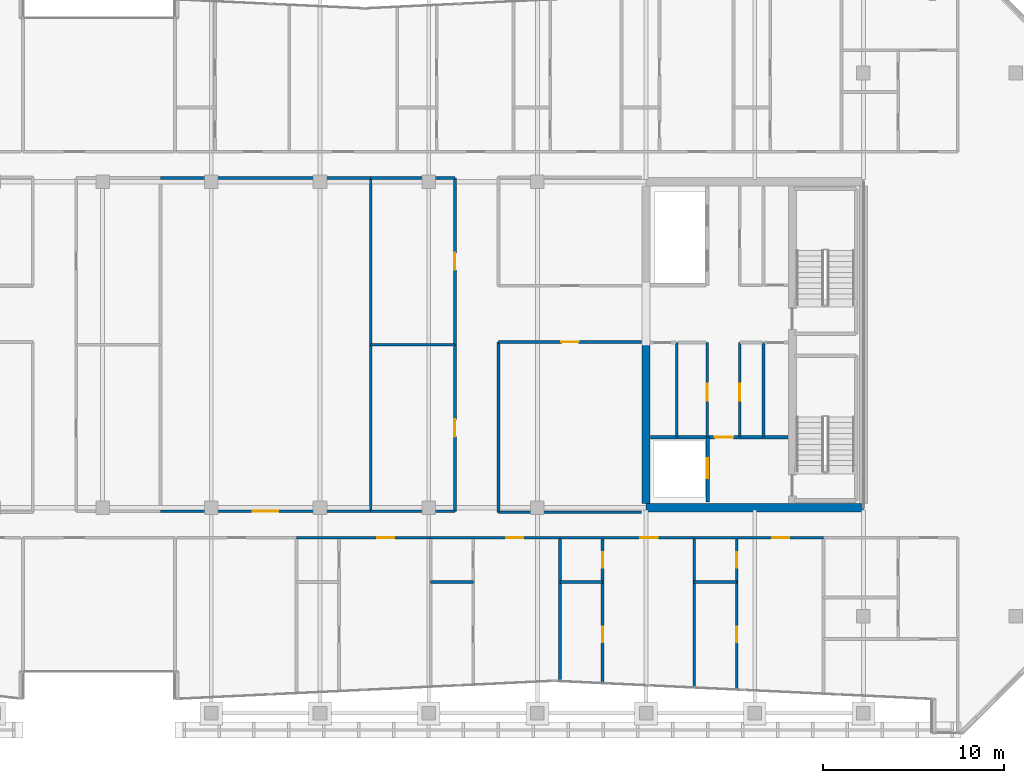
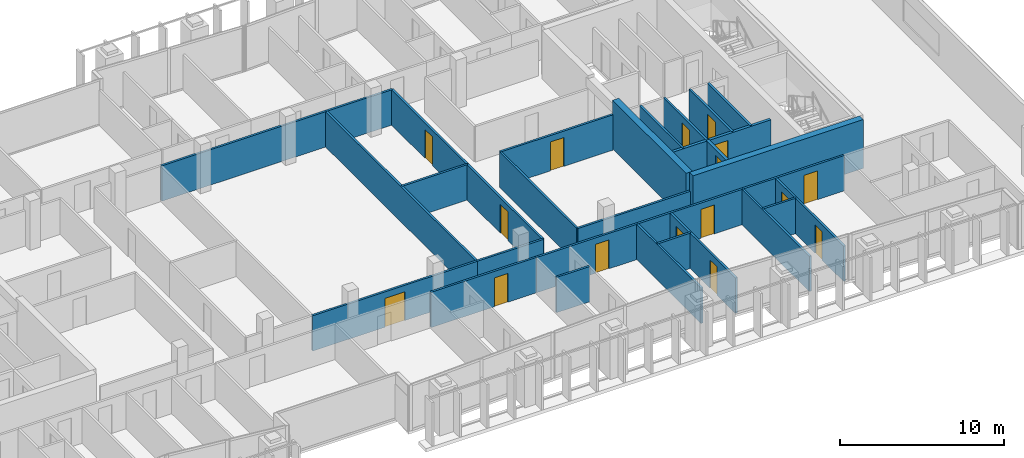
# One storey, part 23 of 32: 30 walls, 16 doors, 16 openings.
"""IFC4 building model written with IfcOpenShell, lengths in metres."""

import ifcopenshell
import ifcopenshell.guid

model = None  # the IFC model being written
_history = None  # IfcOwnerHistory: only IFC2X3 demands one
_inside = {}  # id of a spatial element -> (the spatial element, [elements in it])
_under = {}  # id of a project, library or spatial element -> (it, [spatial elements below it])
_declared = {}  # id of a project -> (the project, [libraries it declares])
_typed = {}  # id of a type object -> (the type object, [elements of that type])
_made_of = {}  # id of a material, layer set ... -> (it, [elements and type objects made of it])


def new_model(schema):
    """Start an empty IFC model of exactly this schema.

    Asked for "IFC4X3", IfcOpenShell would pick the latest addendum, in which some entities
    have other attributes; the version numbers below select the first issue.
    IFC2X3 requires an IfcOwnerHistory on every rooted entity: one is made here for all.
    """
    global model, _history
    if schema == "IFC4X3":
        model = ifcopenshell.file(schema_version=(4, 3, 0, 0))
    else:
        model = ifcopenshell.file(schema=schema)
    _inside.clear()
    _under.clear()
    _declared.clear()
    _typed.clear()
    _made_of.clear()
    _history = None
    if model.schema == "IFC2X3":
        org = make("IfcOrganization", Name="unknown")
        user = make(
            "IfcPersonAndOrganization",
            ThePerson=make("IfcPerson", FamilyName="unknown"),
            TheOrganization=org,
        )
        app = make(
            "IfcApplication",
            ApplicationDeveloper=org,
            Version="unknown",
            ApplicationFullName="unknown",
            ApplicationIdentifier="unknown",
        )
        _history = make(
            "IfcOwnerHistory",
            OwningUser=user,
            OwningApplication=app,
            ChangeAction="ADDED",
            CreationDate=0,
        )
    return model


def make(cls, **values):
    """One entity of the class cls with the attributes given. An attribute that is None is left unset."""
    return model.create_entity(
        cls, **{name: value for name, value in values.items() if value is not None}
    )


def rooted(cls, **values):
    """An entity with a GlobalId (a new one), such as an element, a storey or a relation."""
    return make(cls, GlobalId=ifcopenshell.guid.new(), OwnerHistory=_history, **values)


def si_unit(unit_type, name, prefix=None):
    """IfcSIUnit, for example si_unit("LENGTHUNIT", "METRE", prefix="MILLI")."""
    return make("IfcSIUnit", UnitType=unit_type, Prefix=prefix, Name=name)


def assignment(units):
    """IfcUnitAssignment: the units of a project."""
    return None if units is None else make("IfcUnitAssignment", Units=units)


def point(xyz):
    """IfcCartesianPoint."""
    return None if xyz is None else make("IfcCartesianPoint", Coordinates=xyz)


def direction(xyz):
    """IfcDirection."""
    return None if xyz is None else make("IfcDirection", DirectionRatios=xyz)


def frame(location, z_axis=None, x_axis=None):
    """IfcAxis2Placement3D, a coordinate frame: its origin and axes. An axis left out is left unset."""
    return make(
        "IfcAxis2Placement3D",
        Location=point(location),
        Axis=direction(z_axis),
        RefDirection=direction(x_axis),
    )


def frame_2d(location, x_axis=None):
    """IfcAxis2Placement2D, a coordinate frame in the plane: its origin and x axis."""
    return make(
        "IfcAxis2Placement2D", Location=point(location), RefDirection=direction(x_axis)
    )


def origin():
    """The frame at (0, 0, 0) with its axes left unset."""
    return frame((0.0, 0.0, 0.0))


def place(relative_to, where):
    """IfcLocalPlacement: puts the frame where relative to a parent placement (None: the world)."""
    return make(
        "IfcLocalPlacement", PlacementRelTo=relative_to, RelativePlacement=where
    )


def context(
    kind, dimensions, precision=None, world=None, true_north=None, identifier=None
):
    """IfcGeometricRepresentationContext, for example the 3D "Model" context."""
    return make(
        "IfcGeometricRepresentationContext",
        ContextIdentifier=identifier,
        ContextType=kind,
        CoordinateSpaceDimension=dimensions,
        Precision=precision,
        WorldCoordinateSystem=world,
        TrueNorth=true_north,
    )


def subcontext(parent, identifier, kind, view, scale=None):
    """IfcGeometricRepresentationSubContext, for example "Body" below "Model"."""
    return make(
        "IfcGeometricRepresentationSubContext",
        ContextIdentifier=identifier,
        ContextType=kind,
        ParentContext=parent,
        TargetScale=scale,
        TargetView=view,
    )


def project(units=None, contexts=None):
    """IfcProject with its units and contexts."""
    return rooted(
        "IfcProject",
        Name="project",
        RepresentationContexts=contexts,
        UnitsInContext=assignment(units),
    )


def spatial(cls, under=None, at=None, **own):
    """A site, building, storey or space (cls), placed at a placement, below another one or the project."""
    s = rooted(cls, ObjectPlacement=at, **own)
    if under is not None:
        _under.setdefault(under.id(), (under, []))[1].append(s)
    return s


def profile(cls, at=None, kind="AREA", **sizes):
    """A parametric profile (cls). Its sizes go by their IFC names, for example OverallWidth=200.0."""
    return make(cls, ProfileType=kind, Position=at, **sizes)


def rectangle(**sizes):
    """IfcRectangleProfileDef."""
    return profile("IfcRectangleProfileDef", **sizes)


def extrude(swept, where, along, depth):
    """IfcExtrudedAreaSolid: the profile swept, set in the frame where, extruded along a direction by depth."""
    return make(
        "IfcExtrudedAreaSolid",
        SweptArea=swept,
        Position=where,
        ExtrudedDirection=direction(along),
        Depth=depth,
    )


def shape(context_of_items, identifier, shape_type, items):
    """IfcShapeRepresentation: the items that make up one representation, for example the "Body"."""
    return make(
        "IfcShapeRepresentation",
        ContextOfItems=context_of_items,
        RepresentationIdentifier=identifier,
        RepresentationType=shape_type,
        Items=items,
    )


def material(Name=None, Category=None):
    """IfcMaterial."""
    return make("IfcMaterial", Name=Name, Category=Category)


def layer(
    of_material, thickness, ventilated=None, Name=None, Category=None, Priority=None
):
    """IfcMaterialLayer: one layer of a wall or slab, of a material (None: an air gap)."""
    return make(
        "IfcMaterialLayer",
        Material=of_material,
        LayerThickness=thickness,
        IsVentilated=ventilated,
        Name=Name,
        Category=Category,
        Priority=Priority,
    )


def layer_set(layers, Name=None):
    """IfcMaterialLayerSet."""
    return make("IfcMaterialLayerSet", MaterialLayers=layers, LayerSetName=Name)


def made_of(thing, what):
    """Note that an element or type object is made of a material, layer set ...; save() writes the relation."""
    if what is not None:
        _made_of.setdefault(what.id(), (what, []))[1].append(thing)
    return thing


def type_object(cls, material=None, **own):
    """A type object (cls), such as IfcWallType, which elements share."""
    return made_of(rooted(cls, **own), material)


def element(
    cls,
    number,
    at=None,
    inside=None,
    cuts=None,
    type_object=None,
    material=None,
    context=None,
    identifier="Body",
    shape_type=None,
    held_by="IfcProductDefinitionShape",
    body=None,
    shapes=None,
    **own,
):
    """One element of the class cls, such as IfcWall. Its Tag is "e" and its number.

    at: its placement. inside: the storey or other place that contains it. cuts: it is an
    opening in that element (IfcRelVoidsElement). A single representation is given by context,
    identifier, shape_type and body (its items); several are given by shapes. held_by: the class
    of the entity that holds the representations. save() writes the other relations.
    """
    e = rooted(cls, Tag="e%d" % number, ObjectPlacement=at, **own)
    if body is not None:
        shapes = [shape(context, identifier, shape_type, body)]
    if shapes is not None:
        e.Representation = make(held_by, Representations=shapes)
    if inside is not None:
        _inside.setdefault(inside.id(), (inside, []))[1].append(e)
    if cuts is not None:
        rooted(
            "IfcRelVoidsElement", RelatingBuildingElement=cuts, RelatedOpeningElement=e
        )
    if type_object is not None:
        _typed.setdefault(type_object.id(), (type_object, []))[1].append(e)
    return made_of(e, material)


def fill(opening, filler):
    """IfcRelFillsElement: the door or window that sits in an opening."""
    return rooted(
        "IfcRelFillsElement",
        RelatingOpeningElement=opening,
        RelatedBuildingElement=filler,
    )


def aggregate(whole, parts):
    """IfcRelAggregates: a whole, such as a stair, and the parts it consists of."""
    return rooted("IfcRelAggregates", RelatingObject=whole, RelatedObjects=parts)


def save(model, path):
    """Write the relations noted so far, then the file.

    IfcRelAggregates (storeys below a building ...), IfcRelContainedInSpatialStructure (elements
    in a storey), IfcRelDefinesByType, IfcRelAssociatesMaterial and IfcRelDeclares: one each for
    every whole, place, type object, material and project.
    """
    for whole, parts in _under.values():
        aggregate(whole, parts)
    for where, things in _inside.values():
        rooted(
            "IfcRelContainedInSpatialStructure",
            RelatedElements=things,
            RelatingStructure=where,
        )
    for kind, things in _typed.values():
        rooted("IfcRelDefinesByType", RelatedObjects=things, RelatingType=kind)
    for what, things in _made_of.values():
        rooted("IfcRelAssociatesMaterial", RelatedObjects=things, RelatingMaterial=what)
    for by, libraries in _declared.values():
        rooted("IfcRelDeclares", RelatingContext=by, RelatedDefinitions=libraries)
    model.write(path)


model = new_model("IFC4")

# Units and contexts
model_context = context("Model", 3, precision=1e-05, world=origin(), true_north=direction((0.0, 1.0)))
body_context = subcontext(model_context, "Body", "Model", "MODEL_VIEW")
ifc_project = project(units=[si_unit("LENGTHUNIT", "METRE"), si_unit("AREAUNIT", "SQUARE_METRE"), si_unit("VOLUMEUNIT", "CUBIC_METRE"), si_unit("PLANEANGLEUNIT", "RADIAN"), si_unit("MASSUNIT", "GRAM", prefix="KILO")], contexts=[model_context])

# Site, building, storey
site_placement = place(None, origin())
site = spatial("IfcSite", under=ifc_project, at=site_placement, CompositionType="ELEMENT")
building_placement = place(site_placement, origin())
building = spatial("IfcBuilding", under=site, at=building_placement, Name="Tanjung Sevakor Pilgrim Tower", CompositionType="ELEMENT")
storey_placement = place(building_placement, frame((0.0, 0.0, 211.860107421875)))
storey = spatial("IfcBuildingStorey", under=building, at=storey_placement, Name="L59", CompositionType="ELEMENT", Elevation=211.860107421875)

# Walls
ifc_material_1 = material(Name="Concrete C60/75", Category="concrete")
ifc_layer_1 = layer(ifc_material_1, 0.449951171875)
ifc_layer_set_1 = layer_set([ifc_layer_1], Name="WALL-CW-450")
wall_type_1 = type_object("IfcWallType", Name="WALL-CW-450", PredefinedType="SHEAR", material=ifc_layer_set_1)
wall_1_placement = place(storey_placement, frame((78.0, 24.60009765625, 0.0), z_axis=(0.0, 0.0, 1.0), x_axis=(1.0, 0.0, 0.0)))
element("IfcWall", 1, at=wall_1_placement, inside=storey, type_object=wall_type_1, Name="L59 E Core South Shear Wall", PredefinedType="SHEAR", context=body_context, shape_type="SweptSolid", body=[
    extrude(rectangle(XDim=12.0, YDim=0.449951171875, at=frame_2d((6.0, 0.0))), origin(), (0.0, 0.0, 1.0), 3.6298828125),
])
wall_2_placement = place(storey_placement, frame((78.0, 24.824951171875, 0.0), z_axis=(0.0, 0.0, 1.0), x_axis=(0.0, 1.0, 0.0)))
element("IfcWall", 2, at=wall_2_placement, inside=storey, type_object=wall_type_1, Name="L59 E Core Inner Shear Wall South", PredefinedType="SHEAR", context=body_context, shape_type="SweptSolid", body=[
    extrude(rectangle(XDim=8.97509765625, YDim=0.449951171875, at=frame_2d((4.487548828125, 0.0))), origin(), (0.0, 0.0, 1.0), 3.6298828125),
])
ifc_material_2 = material(Name="Concrete C40/50", Category="concrete")
ifc_layer_2 = layer(ifc_material_2, 0.14990234375)
ifc_layer_set_2 = layer_set([ifc_layer_2], Name="WT-COMP-150")
wall_type_2 = type_object("IfcWallType", Name="WT-COMP-150", PredefinedType="SOLIDWALL", material=ifc_layer_set_2)
wall_3_placement = place(storey_placement, frame((84.47998046875, 28.5, 0.0), z_axis=(0.0, 0.0, 1.0), x_axis=(0.0, 1.0, 0.0)))
element("IfcWall", 3, at=wall_3_placement, inside=storey, type_object=wall_type_2, Name="L59 Partition IW-L59-019", PredefinedType="SOLIDWALL", context=body_context, shape_type="SweptSolid", body=[
    extrude(rectangle(XDim=5.219970703125, YDim=0.14990234375, at=frame_2d((2.60986328125, 0.0))), origin(), (0.0, 0.0, 1.0), 2.6298828125),
])

# Wall, opening, door
wall_4_placement = place(storey_placement, frame((83.179931640625, 28.5, 0.0), z_axis=(0.0, 0.0, 1.0), x_axis=(0.0, 1.0, 0.0)))
wall_4 = element("IfcWall", 4, at=wall_4_placement, inside=storey, type_object=wall_type_2, Name="L59 Partition IW-L59-022", PredefinedType="SOLIDWALL", context=body_context, shape_type="SweptSolid", body=[
    extrude(rectangle(XDim=5.219970703125, YDim=0.14990234375, at=frame_2d((2.60986328125, 0.0))), origin(), (0.0, 0.0, 1.0), 2.6298828125),
])
opening_1_placement = place(wall_4_placement, frame((2.0, 0.0, 0.0)))
opening_1 = element("IfcOpeningElement", 5, at=opening_1_placement, cuts=wall_4, Name="Opening ID-FD2", PredefinedType="OPENING", context=body_context, shape_type="SweptSolid", body=[
    extrude(rectangle(XDim=0.949951171875, YDim=2.14990234375, at=frame_2d((0.47509765625, 1.074951171875))), frame((0.0, 0.0849609375, 0.0), z_axis=(0.0, -1.0, 0.0), x_axis=(1.0, 0.0, 0.0)), (0.0, 0.0, 1.0), 0.169921875),
])
ifc_material_3 = material(Name="Fire-Rated Timber", Category="wood")
door_type_1 = type_object("IfcDoorType", Name="DT-FIRE-950", OperationType="NOTDEFINED", PredefinedType="DOOR", material=ifc_material_3)
door_1_placement = place(opening_1_placement, origin())
door_1 = element("IfcDoor", 6, at=door_1_placement, inside=storey, type_object=door_type_1, Name="L59 Housekeeping Pantry Door", OperationType="SINGLE_SWING_RIGHT", OverallHeight=2.14990234375, OverallWidth=0.949951171875, PredefinedType="DOOR", context=body_context, shape_type="SweptSolid", body=[
    extrude(rectangle(XDim=0.949951171875, YDim=2.14990234375, at=frame_2d((0.47509765625, 1.074951171875))), frame((0.0, 0.02490234375, 0.0), z_axis=(0.0, -1.0, 0.0), x_axis=(1.0, 0.0, 0.0)), (0.0, 0.0, 1.0), 0.050048828125),
])
fill(opening_1, door_1)

# Wall
wall_5_placement = place(storey_placement, frame((79.699951171875, 28.5, 0.0), z_axis=(0.0, 0.0, 1.0), x_axis=(0.0, 1.0, 0.0)))
element("IfcWall", 7, at=wall_5_placement, inside=storey, type_object=wall_type_2, Name="L59 Partition IW-L59-023", PredefinedType="SOLIDWALL", context=body_context, shape_type="SweptSolid", body=[
    extrude(rectangle(XDim=5.219970703125, YDim=0.14990234375, at=frame_2d((2.60986328125, 0.0))), origin(), (0.0, 0.0, 1.0), 2.6298828125),
])

# Wall, opening, door
wall_6_placement = place(storey_placement, frame((81.3798828125, 28.5, 0.0), z_axis=(0.0, 0.0, 1.0), x_axis=(0.0, 1.0, 0.0)))
wall_6 = element("IfcWall", 8, at=wall_6_placement, inside=storey, type_object=wall_type_2, Name="L59 Partition IW-L59-026", PredefinedType="SOLIDWALL", context=body_context, shape_type="SweptSolid", body=[
    extrude(rectangle(XDim=5.219970703125, YDim=0.14990234375, at=frame_2d((2.60986328125, 0.0))), origin(), (0.0, 0.0, 1.0), 2.6298828125),
])
opening_2_placement = place(wall_6_placement, frame((2.0, 0.0, 0.0)))
opening_2 = element("IfcOpeningElement", 9, at=opening_2_placement, cuts=wall_6, Name="Opening ID-FD2", PredefinedType="OPENING", context=body_context, shape_type="SweptSolid", body=[
    extrude(rectangle(XDim=0.949951171875, YDim=2.14990234375, at=frame_2d((0.47509765625, 1.074951171875))), frame((0.0, 0.0849609375, 0.0), z_axis=(0.0, -1.0, 0.0), x_axis=(1.0, 0.0, 0.0)), (0.0, 0.0, 1.0), 0.169921875),
])
door_2_placement = place(opening_2_placement, origin())
door_2 = element("IfcDoor", 10, at=door_2_placement, inside=storey, type_object=door_type_1, Name="L59 Accessible WC Door", OperationType="SINGLE_SWING_RIGHT", OverallHeight=2.14990234375, OverallWidth=0.949951171875, PredefinedType="DOOR", context=body_context, shape_type="SweptSolid", body=[
    extrude(rectangle(XDim=0.949951171875, YDim=2.14990234375, at=frame_2d((0.47509765625, 1.074951171875))), frame((0.0, 0.02490234375, 0.0), z_axis=(0.0, -1.0, 0.0), x_axis=(1.0, 0.0, 0.0)), (0.0, 0.0, 1.0), 0.050048828125),
])
fill(opening_2, door_2)

# Wall
wall_7_placement = place(storey_placement, frame((69.85009765625, 24.35009765625, 0.0), z_axis=(0.0, 0.0, 1.0), x_axis=(1.0, 0.0, 0.0)))
element("IfcWall", 11, at=wall_7_placement, inside=storey, type_object=wall_type_2, Name="L59 Partition IW-L59-039", PredefinedType="SOLIDWALL", context=body_context, shape_type="SweptSolid", body=[
    extrude(rectangle(XDim=7.90478515625, YDim=0.14990234375, at=frame_2d((3.952392578125, 0.0))), origin(), (0.0, 0.0, 1.0), 2.6298828125),
])

# Wall, opening, door
wall_8_placement = place(storey_placement, frame((69.85009765625, 33.75, 0.0), z_axis=(0.0, 0.0, 1.0), x_axis=(1.0, 0.0, 0.0)))
wall_8 = element("IfcWall", 12, at=wall_8_placement, inside=storey, type_object=wall_type_2, Name="L59 Partition IW-L59-040", PredefinedType="SOLIDWALL", context=body_context, shape_type="SweptSolid", body=[
    extrude(rectangle(XDim=7.90478515625, YDim=0.14990234375, at=frame_2d((3.952392578125, 0.0))), origin(), (0.0, 0.0, 1.0), 2.6298828125),
])
opening_3_placement = place(wall_8_placement, frame((3.4775390625, 0.0, 0.0)))
opening_3 = element("IfcOpeningElement", 13, at=opening_3_placement, cuts=wall_8, Name="Opening ID-RM1", PredefinedType="OPENING", context=body_context, shape_type="SweptSolid", body=[
    extrude(rectangle(XDim=0.949951171875, YDim=2.14990234375, at=frame_2d((0.47509765625, 1.074951171875))), frame((0.0, 0.0849609375, 0.0), z_axis=(0.0, -1.0, 0.0), x_axis=(1.0, 0.0, 0.0)), (0.0, 0.0, 1.0), 0.169921875),
])
ifc_material_4 = material(Name="Hardwood Timber", Category="wood")
door_type_2 = type_object("IfcDoorType", Name="DT-INT-950", OperationType="NOTDEFINED", PredefinedType="DOOR", material=ifc_material_4)
door_3_placement = place(opening_3_placement, origin())
door_3 = element("IfcDoor", 14, at=door_3_placement, inside=storey, type_object=door_type_2, Name="L59 East Inboard South Door", OperationType="SINGLE_SWING_LEFT", OverallHeight=2.14990234375, OverallWidth=0.949951171875, PredefinedType="DOOR", context=body_context, shape_type="SweptSolid", body=[
    extrude(rectangle(XDim=0.949951171875, YDim=2.14990234375, at=frame_2d((0.47509765625, 1.074951171875))), frame((0.0, 0.02490234375, 0.0), z_axis=(0.0, -1.0, 0.0), x_axis=(1.0, 0.0, 0.0)), (0.0, 0.0, 1.0), 0.050048828125),
])
fill(opening_3, door_3)

# Wall
wall_9_placement = place(storey_placement, frame((69.85009765625, 24.35009765625, 0.0), z_axis=(0.0, 0.0, 1.0), x_axis=(0.0, 1.0, 0.0)))
element("IfcWall", 15, at=wall_9_placement, inside=storey, type_object=wall_type_2, Name="L59 Partition IW-L59-041", PredefinedType="SOLIDWALL", context=body_context, shape_type="SweptSolid", body=[
    extrude(rectangle(XDim=9.39990234375, YDim=0.14990234375, at=frame_2d((4.699951171875, 0.0))), origin(), (0.0, 0.0, 1.0), 2.6298828125),
])

# Wall, opening, door
wall_10_placement = place(storey_placement, frame((51.199951171875, 24.39990234375, 0.0), z_axis=(0.0, 0.0, 1.0), x_axis=(1.0, 0.0, 0.0)))
wall_10 = element("IfcWall", 16, at=wall_10_placement, inside=storey, type_object=wall_type_2, Name="L59 Partition IW-L59-050", PredefinedType="SOLIDWALL", context=body_context, shape_type="SweptSolid", body=[
    extrude(rectangle(XDim=11.60009765625, YDim=0.14990234375, at=frame_2d((5.800048828125, 0.0))), origin(), (0.0, 0.0, 1.0), 2.6298828125),
])
opening_4_placement = place(wall_10_placement, frame((5.10009765625, 0.0, 0.0)))
opening_4 = element("IfcOpeningElement", 17, at=opening_4_placement, cuts=wall_10, Name="Opening ID-HD1", PredefinedType="OPENING", context=body_context, shape_type="SweptSolid", body=[
    extrude(rectangle(XDim=1.39990234375, YDim=2.14990234375, at=frame_2d((0.699951171875, 1.074951171875))), frame((0.0, 0.0849609375, 0.0), z_axis=(0.0, -1.0, 0.0), x_axis=(1.0, 0.0, 0.0)), (0.0, 0.0, 1.0), 0.169921875),
])
ifc_material_5 = material(Name="Hardwood Timber", Category="wood")
door_type_3 = type_object("IfcDoorType", Name="DT-INT-1400", OperationType="DOUBLE_DOOR_SINGLE_SWING", PredefinedType="DOOR", material=ifc_material_5)
door_4_placement = place(opening_4_placement, origin())
door_4 = element("IfcDoor", 18, at=door_4_placement, inside=storey, type_object=door_type_3, Name="L59 Sky-Prayer Sanctuary Door", OperationType="SINGLE_SWING_LEFT", OverallHeight=2.14990234375, OverallWidth=1.39990234375, PredefinedType="DOOR", context=body_context, shape_type="SweptSolid", body=[
    extrude(rectangle(XDim=1.39990234375, YDim=2.14990234375, at=frame_2d((0.699951171875, 1.074951171875))), frame((0.0, 0.02490234375, 0.0), z_axis=(0.0, -1.0, 0.0), x_axis=(1.0, 0.0, 0.0)), (0.0, 0.0, 1.0), 0.050048828125),
])
fill(opening_4, door_4)

# Walls
wall_11_placement = place(storey_placement, frame((51.199951171875, 42.800048828125, 0.0), z_axis=(0.0, 0.0, 1.0), x_axis=(1.0, 0.0, 0.0)))
element("IfcWall", 19, at=wall_11_placement, inside=storey, type_object=wall_type_2, Name="L59 Partition IW-L59-051", PredefinedType="SOLIDWALL", context=body_context, shape_type="SweptSolid", body=[
    extrude(rectangle(XDim=11.60009765625, YDim=0.14990234375, at=frame_2d((5.800048828125, 0.0))), origin(), (0.0, 0.0, 1.0), 2.6298828125),
])
wall_12_placement = place(storey_placement, frame((62.800048828125, 24.39990234375, 0.0), z_axis=(0.0, 0.0, 1.0), x_axis=(0.0, 1.0, 0.0)))
element("IfcWall", 20, at=wall_12_placement, inside=storey, type_object=wall_type_2, Name="L59 Partition IW-L59-053", PredefinedType="SOLIDWALL", context=body_context, shape_type="SweptSolid", body=[
    extrude(rectangle(XDim=18.400146484375, YDim=0.14990234375, at=frame_2d((9.2001953125, 0.0))), origin(), (0.0, 0.0, 1.0), 2.6298828125),
])
for number, where, z_axis, x_axis, name in (
    (21, (62.800048828125, 24.39990234375, 0.0), (0.0, 0.0, 1.0), (1.0, 0.0, 0.0), "L59 Partition IW-L59-054"),
    (22, (62.800048828125, 33.60009765625, 0.0), (0.0, 0.0, 1.0), (1.0, 0.0, 0.0), "L59 Partition IW-L59-055"),
):
    element("IfcWall", number, at=place(storey_placement, frame(where, z_axis=z_axis, x_axis=x_axis)), inside=storey, type_object=wall_type_2, Name=name, PredefinedType="SOLIDWALL", context=body_context, shape_type="SweptSolid", body=[
        extrude(rectangle(XDim=4.64990234375, YDim=0.14990234375, at=frame_2d((2.324951171875, 0.0))), origin(), (0.0, 0.0, 1.0), 2.6298828125),
    ])

# Wall, opening, door
wall_13_placement = place(storey_placement, frame((67.449951171875, 24.39990234375, 0.0), z_axis=(0.0, 0.0, 1.0), x_axis=(0.0, 1.0, 0.0)))
wall_13 = element("IfcWall", 23, at=wall_13_placement, inside=storey, type_object=wall_type_2, Name="L59 Partition IW-L59-056", PredefinedType="SOLIDWALL", context=body_context, shape_type="SweptSolid", body=[
    extrude(rectangle(XDim=9.2001953125, YDim=0.14990234375, at=frame_2d((4.60009765625, 0.0))), origin(), (0.0, 0.0, 1.0), 2.6298828125),
])
opening_5_placement = place(wall_13_placement, frame((4.125, 0.0, 0.0)))
opening_5 = element("IfcOpeningElement", 24, at=opening_5_placement, cuts=wall_13, Name="Opening ID-RM1", PredefinedType="OPENING", context=body_context, shape_type="SweptSolid", body=[
    extrude(rectangle(XDim=0.949951171875, YDim=2.14990234375, at=frame_2d((0.47509765625, 1.074951171875))), frame((0.0, 0.0849609375, 0.0), z_axis=(0.0, -1.0, 0.0), x_axis=(1.0, 0.0, 0.0)), (0.0, 0.0, 1.0), 0.169921875),
])
door_5_placement = place(opening_5_placement, origin())
door_5 = element("IfcDoor", 25, at=door_5_placement, inside=storey, type_object=door_type_2, Name="L59 Female Ablution Door", OperationType="SINGLE_SWING_RIGHT", OverallHeight=2.14990234375, OverallWidth=0.949951171875, PredefinedType="DOOR", context=body_context, shape_type="SweptSolid", body=[
    extrude(rectangle(XDim=0.949951171875, YDim=2.14990234375, at=frame_2d((0.47509765625, 1.074951171875))), frame((0.0, 0.02490234375, 0.0), z_axis=(0.0, -1.0, 0.0), x_axis=(1.0, 0.0, 0.0)), (0.0, 0.0, 1.0), 0.050048828125),
])
fill(opening_5, door_5)

# Wall
wall_14_placement = place(storey_placement, frame((62.800048828125, 42.800048828125, 0.0), z_axis=(0.0, 0.0, 1.0), x_axis=(1.0, 0.0, 0.0)))
element("IfcWall", 26, at=wall_14_placement, inside=storey, type_object=wall_type_2, Name="L59 Partition IW-L59-057", PredefinedType="SOLIDWALL", context=body_context, shape_type="SweptSolid", body=[
    extrude(rectangle(XDim=4.64990234375, YDim=0.14990234375, at=frame_2d((2.324951171875, 0.0))), origin(), (0.0, 0.0, 1.0), 2.6298828125),
])

# Wall, opening, door
wall_15_placement = place(storey_placement, frame((67.449951171875, 33.60009765625, 0.0), z_axis=(0.0, 0.0, 1.0), x_axis=(0.0, 1.0, 0.0)))
wall_15 = element("IfcWall", 27, at=wall_15_placement, inside=storey, type_object=wall_type_2, Name="L59 Partition IW-L59-058", PredefinedType="SOLIDWALL", context=body_context, shape_type="SweptSolid", body=[
    extrude(rectangle(XDim=9.199951171875, YDim=0.14990234375, at=frame_2d((4.60009765625, 0.0))), origin(), (0.0, 0.0, 1.0), 2.6298828125),
])
opening_6_placement = place(wall_15_placement, frame((4.125, 0.0, 0.0)))
opening_6 = element("IfcOpeningElement", 28, at=opening_6_placement, cuts=wall_15, Name="Opening ID-RM1", PredefinedType="OPENING", context=body_context, shape_type="SweptSolid", body=[
    extrude(rectangle(XDim=0.949951171875, YDim=2.14990234375, at=frame_2d((0.47509765625, 1.074951171875))), frame((0.0, 0.0849609375, 0.0), z_axis=(0.0, -1.0, 0.0), x_axis=(1.0, 0.0, 0.0)), (0.0, 0.0, 1.0), 0.169921875),
])
door_6_placement = place(opening_6_placement, origin())
door_6 = element("IfcDoor", 29, at=door_6_placement, inside=storey, type_object=door_type_2, Name="L59 Female Washroom Door", OperationType="SINGLE_SWING_LEFT", OverallHeight=2.14990234375, OverallWidth=0.949951171875, PredefinedType="DOOR", context=body_context, shape_type="SweptSolid", body=[
    extrude(rectangle(XDim=0.949951171875, YDim=2.14990234375, at=frame_2d((0.47509765625, 1.074951171875))), frame((0.0, 0.02490234375, 0.0), z_axis=(0.0, -1.0, 0.0), x_axis=(1.0, 0.0, 0.0)), (0.0, 0.0, 1.0), 0.050048828125),
])
fill(opening_6, door_6)

wall_16_placement = place(storey_placement, frame((58.70556640625, 22.949951171875, 0.0), z_axis=(0.0, 0.0, 1.0), x_axis=(1.0, 0.0, 0.0)))
wall_16 = element("IfcWall", 30, at=wall_16_placement, inside=storey, type_object=wall_type_2, Name="L59 Partition IW-L59-083", PredefinedType="SOLIDWALL", context=body_context, shape_type="SweptSolid", body=[
    extrude(rectangle(XDim=7.40869140625, YDim=0.14990234375, at=frame_2d((3.704345703125, 0.0))), origin(), (0.0, 0.0, 1.0), 2.6298828125),
])
opening_7_placement = place(wall_16_placement, frame((4.4443359375, 0.0, 0.0)))
opening_7 = element("IfcOpeningElement", 31, at=opening_7_placement, cuts=wall_16, Name="Opening ID-FD2", PredefinedType="OPENING", context=body_context, shape_type="SweptSolid", body=[
    extrude(rectangle(XDim=0.949951171875, YDim=2.14990234375, at=frame_2d((0.47509765625, 1.074951171875))), frame((0.0, 0.0849609375, 0.0), z_axis=(0.0, -1.0, 0.0), x_axis=(1.0, 0.0, 0.0)), (0.0, 0.0, 1.0), 0.169921875),
])
door_7_placement = place(opening_7_placement, origin())
door_7 = element("IfcDoor", 32, at=door_7_placement, inside=storey, type_object=door_type_1, Name="Hostel Quad Entrance", OperationType="SINGLE_SWING_RIGHT", OverallHeight=2.14990234375, OverallWidth=0.949951171875, PredefinedType="DOOR", context=body_context, shape_type="SweptSolid", body=[
    extrude(rectangle(XDim=0.949951171875, YDim=2.14990234375, at=frame_2d((0.47509765625, 1.074951171875))), frame((0.0, 0.02490234375, 0.0), z_axis=(0.0, -1.0, 0.0), x_axis=(1.0, 0.0, 0.0)), (0.0, 0.0, 1.0), 0.050048828125),
])
fill(opening_7, door_7)

# Wall
wall_17_placement = place(storey_placement, frame((73.24853515625, 15.0234375, 0.0), z_axis=(0.0, 0.0, 1.0), x_axis=(0.0, 1.0, 0.0)))
element("IfcWall", 33, at=wall_17_placement, inside=storey, type_object=wall_type_2, Name="L59 Partition IW-L59-084", PredefinedType="SOLIDWALL", context=body_context, shape_type="SweptSolid", body=[
    extrude(rectangle(XDim=7.926513671875, YDim=0.14990234375, at=frame_2d((3.96337890625, 0.0))), origin(), (0.0, 0.0, 1.0), 2.6298828125),
])

# Wall, opening, door
wall_18_placement = place(storey_placement, frame((66.1142578125, 22.949951171875, 0.0), z_axis=(0.0, 0.0, 1.0), x_axis=(1.0, 0.0, 0.0)))
wall_18 = element("IfcWall", 34, at=wall_18_placement, inside=storey, type_object=wall_type_2, Name="L59 Partition IW-L59-087", PredefinedType="SOLIDWALL", context=body_context, shape_type="SweptSolid", body=[
    extrude(rectangle(XDim=7.13427734375, YDim=0.14990234375, at=frame_2d((3.567138671875, 0.0))), origin(), (0.0, 0.0, 1.0), 2.6298828125),
])
opening_8_placement = place(wall_18_placement, frame((4.1572265625, 0.0, 0.0)))
opening_8 = element("IfcOpeningElement", 35, at=opening_8_placement, cuts=wall_18, Name="Opening ID-FD2", PredefinedType="OPENING", context=body_context, shape_type="SweptSolid", body=[
    extrude(rectangle(XDim=0.949951171875, YDim=2.14990234375, at=frame_2d((0.47509765625, 1.074951171875))), frame((0.0, 0.0849609375, 0.0), z_axis=(0.0, -1.0, 0.0), x_axis=(1.0, 0.0, 0.0)), (0.0, 0.0, 1.0), 0.169921875),
])
door_8_placement = place(opening_8_placement, origin())
door_8 = element("IfcDoor", 36, at=door_8_placement, inside=storey, type_object=door_type_1, Name="Hostel Quad Entrance", OperationType="SINGLE_SWING_LEFT", OverallHeight=2.14990234375, OverallWidth=0.949951171875, PredefinedType="DOOR", context=body_context, shape_type="SweptSolid", body=[
    extrude(rectangle(XDim=0.949951171875, YDim=2.14990234375, at=frame_2d((0.47509765625, 1.074951171875))), frame((0.0, 0.02490234375, 0.0), z_axis=(0.0, -1.0, 0.0), x_axis=(1.0, 0.0, 0.0)), (0.0, 0.0, 1.0), 0.050048828125),
])
fill(opening_8, door_8)

# Wall
wall_19_placement = place(storey_placement, frame((80.6572265625, 14.6689453125, 0.0), z_axis=(0.0, 0.0, 1.0), x_axis=(0.0, 1.0, 0.0)))
element("IfcWall", 37, at=wall_19_placement, inside=storey, type_object=wall_type_2, Name="L59 Partition IW-L59-088", PredefinedType="SOLIDWALL", context=body_context, shape_type="SweptSolid", body=[
    extrude(rectangle(XDim=8.281005859375, YDim=0.14990234375, at=frame_2d((4.140625, 0.0))), origin(), (0.0, 0.0, 1.0), 2.6298828125),
])

# Wall, opening, door
wall_20_placement = place(storey_placement, frame((73.24853515625, 22.949951171875, 0.0), z_axis=(0.0, 0.0, 1.0), x_axis=(1.0, 0.0, 0.0)))
wall_20 = element("IfcWall", 38, at=wall_20_placement, inside=storey, type_object=wall_type_2, Name="L59 Partition IW-L59-091", PredefinedType="SOLIDWALL", context=body_context, shape_type="SweptSolid", body=[
    extrude(rectangle(XDim=7.40869140625, YDim=0.14990234375, at=frame_2d((3.704345703125, 0.0))), origin(), (0.0, 0.0, 1.0), 2.6298828125),
])
opening_9_placement = place(wall_20_placement, frame((4.4443359375, 0.0, 0.0)))
opening_9 = element("IfcOpeningElement", 39, at=opening_9_placement, cuts=wall_20, Name="Opening ID-FD2", PredefinedType="OPENING", context=body_context, shape_type="SweptSolid", body=[
    extrude(rectangle(XDim=0.949951171875, YDim=2.14990234375, at=frame_2d((0.47509765625, 1.074951171875))), frame((0.0, 0.0849609375, 0.0), z_axis=(0.0, -1.0, 0.0), x_axis=(1.0, 0.0, 0.0)), (0.0, 0.0, 1.0), 0.169921875),
])
door_9_placement = place(opening_9_placement, origin())
door_9 = element("IfcDoor", 40, at=door_9_placement, inside=storey, type_object=door_type_1, Name="Hostel Quad Entrance", OperationType="SINGLE_SWING_RIGHT", OverallHeight=2.14990234375, OverallWidth=0.949951171875, PredefinedType="DOOR", context=body_context, shape_type="SweptSolid", body=[
    extrude(rectangle(XDim=0.949951171875, YDim=2.14990234375, at=frame_2d((0.47509765625, 1.074951171875))), frame((0.0, 0.02490234375, 0.0), z_axis=(0.0, -1.0, 0.0), x_axis=(1.0, 0.0, 0.0)), (0.0, 0.0, 1.0), 0.050048828125),
])
fill(opening_9, door_9)

wall_21_placement = place(storey_placement, frame((80.6572265625, 22.949951171875, 0.0), z_axis=(0.0, 0.0, 1.0), x_axis=(1.0, 0.0, 0.0)))
wall_21 = element("IfcWall", 41, at=wall_21_placement, inside=storey, type_object=wall_type_2, Name="L59 Partition IW-L59-095", PredefinedType="SOLIDWALL", context=body_context, shape_type="SweptSolid", body=[
    extrude(rectangle(XDim=7.13427734375, YDim=0.14990234375, at=frame_2d((3.567138671875, 0.0))), origin(), (0.0, 0.0, 1.0), 2.6298828125),
])
opening_10_placement = place(wall_21_placement, frame((4.30712890625, 0.0, 0.0)))
opening_10 = element("IfcOpeningElement", 42, at=opening_10_placement, cuts=wall_21, Name="Opening ID-FD2", PredefinedType="OPENING", context=body_context, shape_type="SweptSolid", body=[
    extrude(rectangle(XDim=0.949951171875, YDim=2.14990234375, at=frame_2d((0.47509765625, 1.074951171875))), frame((0.0, 0.0849609375, 0.0), z_axis=(0.0, -1.0, 0.0), x_axis=(1.0, 0.0, 0.0)), (0.0, 0.0, 1.0), 0.169921875),
])
door_10_placement = place(opening_10_placement, origin())
door_10 = element("IfcDoor", 43, at=door_10_placement, inside=storey, type_object=door_type_1, Name="Hostel Quad Entrance", OperationType="SINGLE_SWING_LEFT", OverallHeight=2.14990234375, OverallWidth=0.949951171875, PredefinedType="DOOR", context=body_context, shape_type="SweptSolid", body=[
    extrude(rectangle(XDim=0.949951171875, YDim=2.14990234375, at=frame_2d((0.47509765625, 1.074951171875))), frame((0.0, 0.02490234375, 0.0), z_axis=(0.0, -1.0, 0.0), x_axis=(1.0, 0.0, 0.0)), (0.0, 0.0, 1.0), 0.050048828125),
])
fill(opening_10, door_10)

ifc_material_6 = material(Name="Concrete C40/50", Category="concrete")
ifc_layer_3 = layer(ifc_material_6, 0.199951171875)
ifc_layer_set_3 = layer_set([ifc_layer_3], Name="WT-FPRT-200")
wall_type_3 = type_object("IfcWallType", Name="WT-FPRT-200", PredefinedType="SOLIDWALL", material=ifc_layer_set_3)
wall_22_placement = place(storey_placement, frame((81.39990234375, 24.919921875, 0.0), z_axis=(0.0, 0.0, 1.0), x_axis=(0.0, 1.0, 0.0)))
wall_22 = element("IfcWall", 44, at=wall_22_placement, inside=storey, type_object=wall_type_3, Name="L59 Partition IW-L59-017", PredefinedType="SOLIDWALL", context=body_context, shape_type="SweptSolid", body=[
    extrude(rectangle(XDim=3.580078125, YDim=0.199951171875, at=frame_2d((1.7900390625, 0.0))), origin(), (0.0, 0.0, 1.0), 2.6298828125),
])
opening_11_placement = place(wall_22_placement, frame((1.300048828125, 0.0, 0.0)))
opening_11 = element("IfcOpeningElement", 45, at=opening_11_placement, cuts=wall_22, Name="Opening LD-1100", PredefinedType="OPENING", context=body_context, shape_type="SweptSolid", body=[
    extrude(rectangle(XDim=1.10009765625, YDim=2.199951171875, at=frame_2d((0.550048828125, 1.10009765625))), frame((0.0, 0.10986328125, 0.0), z_axis=(0.0, -1.0, 0.0), x_axis=(1.0, 0.0, 0.0)), (0.0, 0.0, 1.0), 0.219970703125),
])
ifc_material_7 = material(Name="Brushed Stainless Steel S355J2", Category="steel")
door_type_4 = type_object("IfcDoorType", Name="DT-LIFT-1100", OperationType="SLIDING_TO_LEFT", PredefinedType="DOOR", material=ifc_material_7)
door_11_placement = place(opening_11_placement, origin())
door_11 = element("IfcDoor", 46, at=door_11_placement, inside=storey, type_object=door_type_4, Name="LD-FL-E", OperationType="SLIDING_TO_LEFT", OverallHeight=2.199951171875, OverallWidth=1.10009765625, PredefinedType="DOOR", context=body_context, shape_type="SweptSolid", body=[
    extrude(rectangle(XDim=1.10009765625, YDim=2.199951171875, at=frame_2d((0.550048828125, 1.10009765625))), frame((0.0, 0.02490234375, 0.0), z_axis=(0.0, -1.0, 0.0), x_axis=(1.0, 0.0, 0.0)), (0.0, 0.0, 1.0), 0.050048828125),
])
fill(opening_11, door_11)

wall_23_placement = place(storey_placement, frame((78.2451171875, 28.5, 0.0), z_axis=(0.0, 0.0, 1.0), x_axis=(1.0, 0.0, 0.0)))
wall_23 = element("IfcWall", 47, at=wall_23_placement, inside=storey, type_object=wall_type_3, Name="L59 Partition IW-L59-018", PredefinedType="SOLIDWALL", context=body_context, shape_type="SweptSolid", body=[
    extrude(rectangle(XDim=7.5849609375, YDim=0.199951171875, at=frame_2d((3.79248046875, 0.0))), origin(), (0.0, 0.0, 1.0), 2.6298828125),
])
opening_12_placement = place(wall_23_placement, frame((3.554931640625, 0.0, 0.0)))
opening_12 = element("IfcOpeningElement", 48, at=opening_12_placement, cuts=wall_23, Name="Opening ID-FD1", PredefinedType="OPENING", context=body_context, shape_type="SweptSolid", body=[
    extrude(rectangle(XDim=1.0, YDim=2.14990234375, at=frame_2d((0.5, 1.074951171875))), frame((0.0, 0.10986328125, 0.0), z_axis=(0.0, -1.0, 0.0), x_axis=(1.0, 0.0, 0.0)), (0.0, 0.0, 1.0), 0.219970703125),
])
ifc_material_8 = material(Name="Fire-Rated Steel S355J2", Category="steel")
door_type_5 = type_object("IfcDoorType", Name="DT-FIRE-1000", OperationType="NOTDEFINED", PredefinedType="DOOR", material=ifc_material_8)
door_12_placement = place(opening_12_placement, origin())
door_12 = element("IfcDoor", 49, at=door_12_placement, inside=storey, type_object=door_type_5, Name="Fire Lobby Door E", OperationType="SINGLE_SWING_RIGHT", OverallHeight=2.14990234375, OverallWidth=1.0, PredefinedType="DOOR", context=body_context, shape_type="SweptSolid", body=[
    extrude(rectangle(XDim=1.0, YDim=2.14990234375, at=frame_2d((0.5, 1.074951171875))), frame((0.0, 0.02490234375, 0.0), z_axis=(0.0, -1.0, 0.0), x_axis=(1.0, 0.0, 0.0)), (0.0, 0.0, 1.0), 0.050048828125),
])
fill(opening_12, door_12)

# Walls
ifc_material_9 = material(Name="Gypsum Board Partition", Category="gypsum board")
ifc_layer_4 = layer(ifc_material_9, 0.14990234375)
ifc_layer_set_4 = layer_set([ifc_layer_4], Name="WT-PART-150")
wall_type_4 = type_object("IfcWallType", Name="WT-PART-150", PredefinedType="PARTITIONING", material=ifc_layer_set_4)
for number, where, z_axis, x_axis, name in (
    (50, (66.1142578125, 20.5, 0.0), (0.0, 0.0, 1.0), (1.0, 0.0, 0.0), "L59 Partition IW-L59-085"),
    (51, (73.24853515625, 20.5, 0.0), (0.0, 0.0, 1.0), (1.0, 0.0, 0.0), "L59 Partition IW-L59-089"),
):
    element("IfcWall", number, at=place(storey_placement, frame(where, z_axis=z_axis, x_axis=x_axis)), inside=storey, type_object=wall_type_4, Name=name, PredefinedType="PARTITIONING", context=body_context, shape_type="SweptSolid", body=[
        extrude(rectangle(XDim=2.349853515625, YDim=0.14990234375, at=frame_2d((1.1748046875, 0.0))), origin(), (0.0, 0.0, 1.0), 2.6298828125),
    ])

# Wall, openings, doors
wall_24_placement = place(storey_placement, frame((75.598388671875, 14.910888671875, 0.0), z_axis=(0.0, 0.0, 1.0), x_axis=(0.0, 1.0, 0.0)))
wall_24 = element("IfcWall", 52, at=wall_24_placement, inside=storey, type_object=wall_type_4, Name="L59 Partition IW-L59-090", PredefinedType="PARTITIONING", context=body_context, shape_type="SweptSolid", body=[
    extrude(rectangle(XDim=8.0390625, YDim=0.14990234375, at=frame_2d((4.01953125, 0.0))), origin(), (0.0, 0.0, 1.0), 2.6298828125),
])
opening_13_placement = place(wall_24_placement, frame((2.26904296875, 0.0, 0.0)))
opening_13 = element("IfcOpeningElement", 53, at=opening_13_placement, cuts=wall_24, Name="Opening ID-WC1", PredefinedType="OPENING", context=body_context, shape_type="SweptSolid", body=[
    extrude(rectangle(XDim=0.85009765625, YDim=2.10009765625, at=frame_2d((0.425048828125, 1.050048828125))), frame((0.0, 0.0849609375, 0.0), z_axis=(0.0, -1.0, 0.0), x_axis=(1.0, 0.0, 0.0)), (0.0, 0.0, 1.0), 0.169921875),
])
opening_14_placement = place(wall_24_placement, frame((6.388916015625, 0.0, 0.0)))
opening_14 = element("IfcOpeningElement", 54, at=opening_14_placement, cuts=wall_24, Name="Opening ID-WC1", PredefinedType="OPENING", context=body_context, shape_type="SweptSolid", body=[
    extrude(rectangle(XDim=0.85009765625, YDim=2.10009765625, at=frame_2d((0.425048828125, 1.050048828125))), frame((0.0, 0.0849609375, 0.0), z_axis=(0.0, -1.0, 0.0), x_axis=(1.0, 0.0, 0.0)), (0.0, 0.0, 1.0), 0.169921875),
])
ifc_material_10 = material(Name="Moisture-Resistant Timber", Category="wood")
door_type_6 = type_object("IfcDoorType", Name="DT-INT-850", OperationType="NOTDEFINED", PredefinedType="DOOR", material=ifc_material_10)
door_13_placement = place(opening_13_placement, origin())
door_13 = element("IfcDoor", 55, at=door_13_placement, inside=storey, type_object=door_type_6, Name="Study Nook Door", OperationType="SINGLE_SWING_RIGHT", OverallHeight=2.10009765625, OverallWidth=0.85009765625, PredefinedType="DOOR", context=body_context, shape_type="SweptSolid", body=[
    extrude(rectangle(XDim=0.85009765625, YDim=2.10009765625, at=frame_2d((0.425048828125, 1.050048828125))), frame((0.0, 0.02490234375, 0.0), z_axis=(0.0, -1.0, 0.0), x_axis=(1.0, 0.0, 0.0)), (0.0, 0.0, 1.0), 0.050048828125),
])
fill(opening_13, door_13)
door_14_placement = place(opening_14_placement, origin())
door_14 = element("IfcDoor", 56, at=door_14_placement, inside=storey, type_object=door_type_6, Name="Bathroom Door", OperationType="SINGLE_SWING_LEFT", OverallHeight=2.10009765625, OverallWidth=0.85009765625, PredefinedType="DOOR", context=body_context, shape_type="SweptSolid", body=[
    extrude(rectangle(XDim=0.85009765625, YDim=2.10009765625, at=frame_2d((0.425048828125, 1.050048828125))), frame((0.0, 0.02490234375, 0.0), z_axis=(0.0, -1.0, 0.0), x_axis=(1.0, 0.0, 0.0)), (0.0, 0.0, 1.0), 0.050048828125),
])
fill(opening_14, door_14)

# Wall
wall_25_placement = place(storey_placement, frame((80.6572265625, 20.5, 0.0), z_axis=(0.0, 0.0, 1.0), x_axis=(1.0, 0.0, 0.0)))
element("IfcWall", 57, at=wall_25_placement, inside=storey, type_object=wall_type_4, Name="L59 Partition IW-L59-093", PredefinedType="PARTITIONING", context=body_context, shape_type="SweptSolid", body=[
    extrude(rectangle(XDim=2.349853515625, YDim=0.14990234375, at=frame_2d((1.1748046875, 0.0))), origin(), (0.0, 0.0, 1.0), 2.6298828125),
])

# Wall, openings, doors
wall_26_placement = place(storey_placement, frame((83.007080078125, 14.556640625, 0.0), z_axis=(0.0, 0.0, 1.0), x_axis=(0.0, 1.0, 0.0)))
wall_26 = element("IfcWall", 58, at=wall_26_placement, inside=storey, type_object=wall_type_4, Name="L59 Partition IW-L59-094", PredefinedType="PARTITIONING", context=body_context, shape_type="SweptSolid", body=[
    extrude(rectangle(XDim=8.393310546875, YDim=0.14990234375, at=frame_2d((4.19677734375, 0.0))), origin(), (0.0, 0.0, 1.0), 2.6298828125),
])
opening_15_placement = place(wall_26_placement, frame((2.623291015625, 0.0, 0.0)))
opening_15 = element("IfcOpeningElement", 59, at=opening_15_placement, cuts=wall_26, Name="Opening ID-WC1", PredefinedType="OPENING", context=body_context, shape_type="SweptSolid", body=[
    extrude(rectangle(XDim=0.85009765625, YDim=2.10009765625, at=frame_2d((0.425048828125, 1.050048828125))), frame((0.0, 0.0849609375, 0.0), z_axis=(0.0, -1.0, 0.0), x_axis=(1.0, 0.0, 0.0)), (0.0, 0.0, 1.0), 0.169921875),
])
opening_16_placement = place(wall_26_placement, frame((6.743408203125, 0.0, 0.0)))
opening_16 = element("IfcOpeningElement", 60, at=opening_16_placement, cuts=wall_26, Name="Opening ID-WC1", PredefinedType="OPENING", context=body_context, shape_type="SweptSolid", body=[
    extrude(rectangle(XDim=0.85009765625, YDim=2.10009765625, at=frame_2d((0.425048828125, 1.050048828125))), frame((0.0, 0.0849609375, 0.0), z_axis=(0.0, -1.0, 0.0), x_axis=(1.0, 0.0, 0.0)), (0.0, 0.0, 1.0), 0.169921875),
])
door_15_placement = place(opening_15_placement, origin())
door_15 = element("IfcDoor", 61, at=door_15_placement, inside=storey, type_object=door_type_6, Name="Study Nook Door", OperationType="SINGLE_SWING_LEFT", OverallHeight=2.10009765625, OverallWidth=0.85009765625, PredefinedType="DOOR", context=body_context, shape_type="SweptSolid", body=[
    extrude(rectangle(XDim=0.85009765625, YDim=2.10009765625, at=frame_2d((0.425048828125, 1.050048828125))), frame((0.0, 0.02490234375, 0.0), z_axis=(0.0, -1.0, 0.0), x_axis=(1.0, 0.0, 0.0)), (0.0, 0.0, 1.0), 0.050048828125),
])
fill(opening_15, door_15)
door_16_placement = place(opening_16_placement, origin())
door_16 = element("IfcDoor", 62, at=door_16_placement, inside=storey, type_object=door_type_6, Name="Bathroom Door", OperationType="SINGLE_SWING_RIGHT", OverallHeight=2.10009765625, OverallWidth=0.85009765625, PredefinedType="DOOR", context=body_context, shape_type="SweptSolid", body=[
    extrude(rectangle(XDim=0.85009765625, YDim=2.10009765625, at=frame_2d((0.425048828125, 1.050048828125))), frame((0.0, 0.02490234375, 0.0), z_axis=(0.0, -1.0, 0.0), x_axis=(1.0, 0.0, 0.0)), (0.0, 0.0, 1.0), 0.050048828125),
])
fill(opening_16, door_16)

save(model, "model.ifc")
